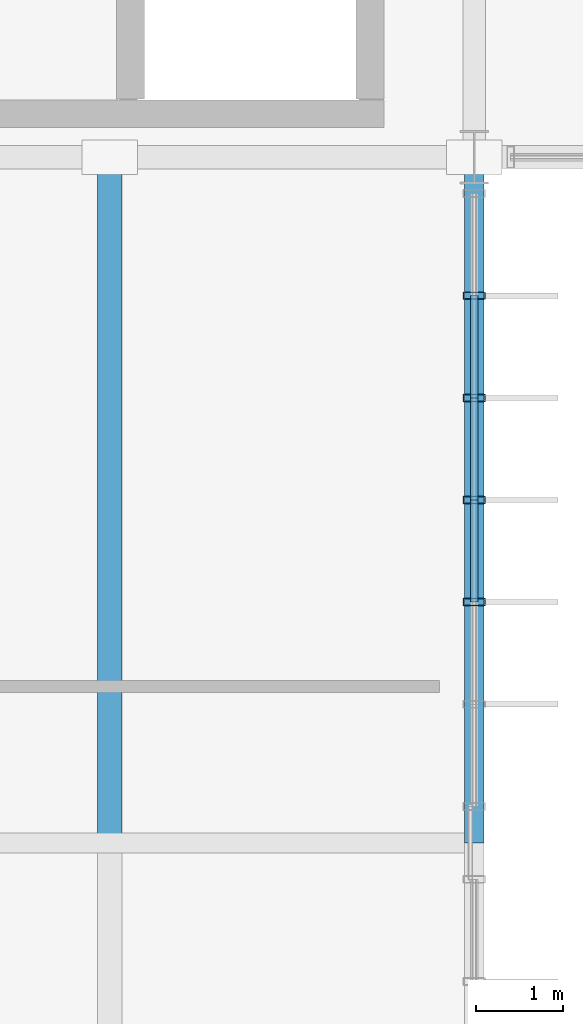
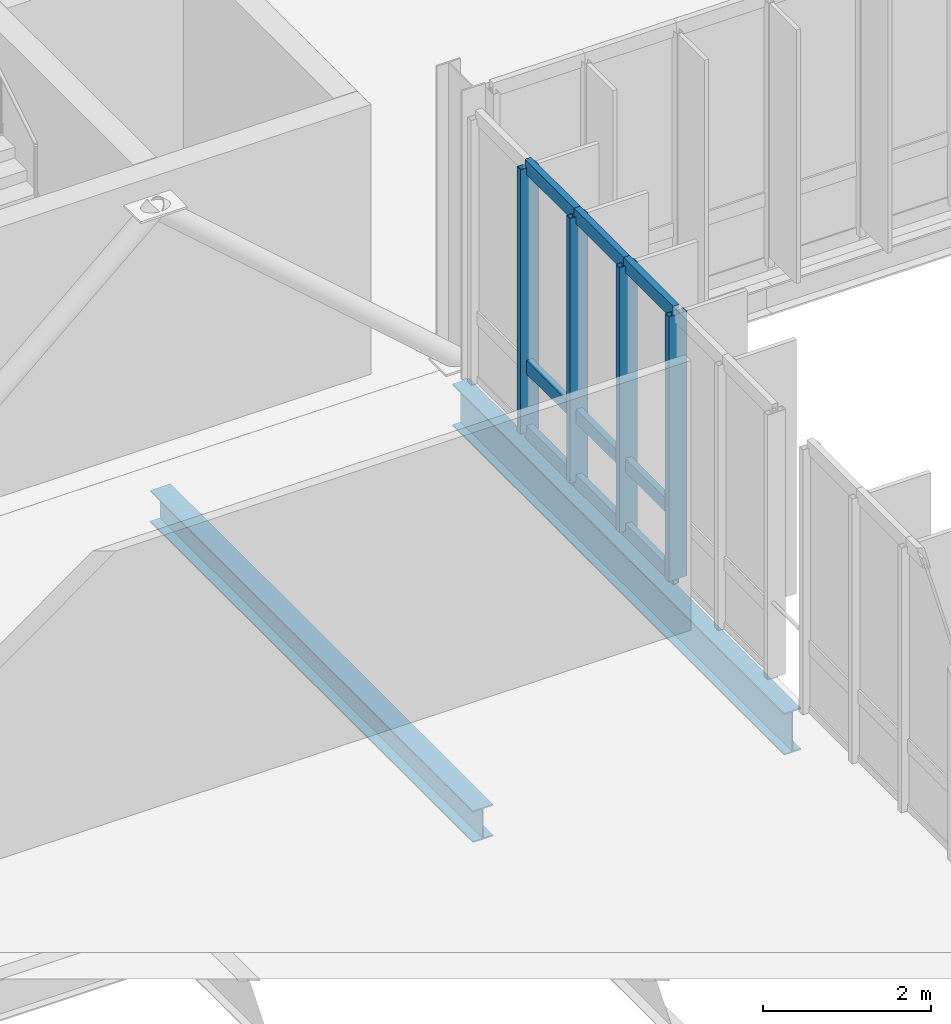
# One storey, part 29 of 107: 13 members, 2 beams, 1 element without a shape of its own.
"""IFC4 building model written with IfcOpenShell, lengths in metres."""

from ifc_helpers import new_model, si_unit, derived_unit, direction, frame, origin, origin_2d, place, context, subcontext, project, spatial, hollow_rectangle, i_section, extrude, material, layer, layer_set, material_profile, profile_set, type_object, element, aggregate, save


model = new_model("IFC4")

# Units and contexts
model_context = context("Model", 3, precision=1e-05, world=origin(), true_north=direction((0.0, 1.0)))
body_context = subcontext(model_context, "Body", "Model", "MODEL_VIEW")
ifc_project = project(units=[si_unit("LENGTHUNIT", "METRE"), si_unit("AREAUNIT", "SQUARE_METRE"), si_unit("VOLUMEUNIT", "CUBIC_METRE"), si_unit("PLANEANGLEUNIT", "RADIAN"), si_unit("MASSUNIT", "GRAM", prefix="KILO"), derived_unit("THERMALTRANSMITTANCEUNIT", [(si_unit("MASSUNIT", "GRAM", prefix="KILO"), 1), (si_unit("TIMEUNIT", "SECOND"), -3), (si_unit("THERMODYNAMICTEMPERATUREUNIT", "KELVIN"), -1)])], contexts=[model_context])

# Site, building, storey
site_placement = place(None, origin())
site = spatial("IfcSite", under=ifc_project, at=site_placement, CompositionType="ELEMENT")
building_placement = place(site_placement, origin())
building = spatial("IfcBuilding", under=site, at=building_placement, Name="Makaiwela Harbour Ferry Terminal", CompositionType="ELEMENT")
storey_placement = place(building_placement, frame((0.0, 0.0, 9.60009765625)))
storey = spatial("IfcBuildingStorey", under=building, at=storey_placement, Name="L02", CompositionType="ELEMENT", Elevation=9.60009765625)

# Curtain wall, members
ifc_material_1 = material(Name="Marine anodised aluminium 6063-T6", Category="aluminium")
ifc_layer = layer(ifc_material_1, 0.199951171875)
ifc_layer_set = layer_set([ifc_layer], Name="Marine anodised aluminium 6063-T6")
curtain_wall_type = type_object("IfcCurtainWallType", Name="ENV-CW-14", PredefinedType="USERDEFINED", material=ifc_layer_set)
curtain_wall_placement = place(storey_placement, origin())
curtain_wall = element("IfcCurtainWall", 1, at=curtain_wall_placement, inside=storey, type_object=curtain_wall_type, Name="Unitised Curtain Wall CWA-113", ObjectType="UNITIZED CURTAIN WALL", PredefinedType="USERDEFINED")
ifc_material_profile_1 = material_profile(ifc_material_1, hollow_rectangle(XDim=0.0849609375, YDim=0.25, WallThickness=0.0048828125, at=origin_2d()), Name="CWM-250X85")
ifc_profile_set_1 = profile_set([ifc_material_profile_1], Name="Marine anodised aluminium 6063-T6")
member_type_1 = type_object("IfcMemberType", Name="CW-MUL-250", PredefinedType="MULLION", material=ifc_profile_set_1)
member_1_placement = place(storey_placement, frame((71.39990234375, 47.80322265625, 0.0), z_axis=(0.0, 0.0, 1.0), x_axis=(0.0, 1.0, 0.0)))
member_1 = element("IfcMember", 2, at=member_1_placement, type_object=member_type_1, Name="Curtain Wall Mullion CWA-113-2", PredefinedType="MULLION", context=body_context, shape_type="SweptSolid", body=[
    extrude(hollow_rectangle(XDim=0.0849609375, YDim=0.25, WallThickness=0.0048828125, at=origin_2d()), origin(), (0.0, 0.0, 1.0), 3.849853515625),
])
member_2_placement = place(storey_placement, frame((71.39990234375, 46.626708984375, 0.0), z_axis=(0.0, 0.0, 1.0), x_axis=(0.0, 1.0, 0.0)))
member_2 = element("IfcMember", 3, at=member_2_placement, type_object=member_type_1, Name="Curtain Wall Mullion CWA-113-3", PredefinedType="MULLION", context=body_context, shape_type="SweptSolid", body=[
    extrude(hollow_rectangle(XDim=0.0849609375, YDim=0.25, WallThickness=0.0048828125, at=origin_2d()), origin(), (0.0, 0.0, 1.0), 3.849853515625),
])
member_3_placement = place(storey_placement, frame((71.39990234375, 45.449951171875, 0.0), z_axis=(0.0, 0.0, 1.0), x_axis=(0.0, 1.0, 0.0)))
member_3 = element("IfcMember", 4, at=member_3_placement, type_object=member_type_1, Name="Curtain Wall Mullion CWA-113-4", PredefinedType="MULLION", context=body_context, shape_type="SweptSolid", body=[
    extrude(hollow_rectangle(XDim=0.0849609375, YDim=0.25, WallThickness=0.0048828125, at=origin_2d()), origin(), (0.0, 0.0, 1.0), 3.849853515625),
])
member_4_placement = place(storey_placement, frame((71.39990234375, 44.273193359375, 0.0), z_axis=(0.0, 0.0, 1.0), x_axis=(0.0, 1.0, 0.0)))
member_4 = element("IfcMember", 5, at=member_4_placement, type_object=member_type_1, Name="Curtain Wall Mullion CWA-113-5", PredefinedType="MULLION", context=body_context, shape_type="SweptSolid", body=[
    extrude(hollow_rectangle(XDim=0.0849609375, YDim=0.25, WallThickness=0.0048828125, at=origin_2d()), origin(), (0.0, 0.0, 1.0), 3.849853515625),
])
ifc_material_profile_2 = material_profile(ifc_material_1, hollow_rectangle(XDim=0.0849609375, YDim=0.199951171875, WallThickness=0.0048828125, at=origin_2d()), Name="CWT-200X85")
ifc_profile_set_2 = profile_set([ifc_material_profile_2], Name="Marine anodised aluminium 6063-T6")
member_type_2 = type_object("IfcMemberType", Name="CW-TRN-200", PredefinedType="USERDEFINED", material=ifc_profile_set_2)
member_5_placement = place(storey_placement, frame((71.39990234375, 47.80322265625, 0.0), z_axis=(0.0, -1.0, 0.0), x_axis=(1.0, 0.0, 0.0)))
member_5 = element("IfcMember", 6, at=member_5_placement, type_object=member_type_2, Name="Curtain Wall Transom CWA-113-2-1", ObjectType="TRANSOM", PredefinedType="USERDEFINED", context=body_context, shape_type="SweptSolid", body=[
    extrude(hollow_rectangle(XDim=0.0849609375, YDim=0.199951171875, WallThickness=0.0048828125, at=origin_2d()), origin(), (0.0, 0.0, 1.0), 1.176513671875),
])
member_6_placement = place(storey_placement, frame((71.39990234375, 47.80322265625, 0.949951171875), z_axis=(0.0, -1.0, 0.0), x_axis=(1.0, 0.0, 0.0)))
member_6 = element("IfcMember", 7, at=member_6_placement, type_object=member_type_2, Name="Curtain Wall Transom CWA-113-2-2", ObjectType="TRANSOM", PredefinedType="USERDEFINED", context=body_context, shape_type="SweptSolid", body=[
    extrude(hollow_rectangle(XDim=0.0849609375, YDim=0.199951171875, WallThickness=0.0048828125, at=origin_2d()), origin(), (0.0, 0.0, 1.0), 1.176513671875),
])
member_7_placement = place(storey_placement, frame((71.39990234375, 47.80322265625, 3.849853515625), z_axis=(0.0, -1.0, 0.0), x_axis=(1.0, 0.0, 0.0)))
member_7 = element("IfcMember", 8, at=member_7_placement, type_object=member_type_2, Name="Curtain Wall Transom CWA-113-2-3", ObjectType="TRANSOM", PredefinedType="USERDEFINED", context=body_context, shape_type="SweptSolid", body=[
    extrude(hollow_rectangle(XDim=0.0849609375, YDim=0.199951171875, WallThickness=0.0048828125, at=origin_2d()), origin(), (0.0, 0.0, 1.0), 1.176513671875),
])
member_8_placement = place(storey_placement, frame((71.39990234375, 46.626708984375, 0.0), z_axis=(0.0, -1.0, 0.0), x_axis=(1.0, 0.0, 0.0)))
member_8 = element("IfcMember", 9, at=member_8_placement, type_object=member_type_2, Name="Curtain Wall Transom CWA-113-3-1", ObjectType="TRANSOM", PredefinedType="USERDEFINED", context=body_context, shape_type="SweptSolid", body=[
    extrude(hollow_rectangle(XDim=0.0849609375, YDim=0.199951171875, WallThickness=0.0048828125, at=origin_2d()), origin(), (0.0, 0.0, 1.0), 1.1767578125),
])
member_9_placement = place(storey_placement, frame((71.39990234375, 46.626708984375, 0.949951171875), z_axis=(0.0, -1.0, 0.0), x_axis=(1.0, 0.0, 0.0)))
member_9 = element("IfcMember", 10, at=member_9_placement, type_object=member_type_2, Name="Curtain Wall Transom CWA-113-3-2", ObjectType="TRANSOM", PredefinedType="USERDEFINED", context=body_context, shape_type="SweptSolid", body=[
    extrude(hollow_rectangle(XDim=0.0849609375, YDim=0.199951171875, WallThickness=0.0048828125, at=origin_2d()), origin(), (0.0, 0.0, 1.0), 1.1767578125),
])
member_10_placement = place(storey_placement, frame((71.39990234375, 46.626708984375, 3.849853515625), z_axis=(0.0, -1.0, 0.0), x_axis=(1.0, 0.0, 0.0)))
member_10 = element("IfcMember", 11, at=member_10_placement, type_object=member_type_2, Name="Curtain Wall Transom CWA-113-3-3", ObjectType="TRANSOM", PredefinedType="USERDEFINED", context=body_context, shape_type="SweptSolid", body=[
    extrude(hollow_rectangle(XDim=0.0849609375, YDim=0.199951171875, WallThickness=0.0048828125, at=origin_2d()), origin(), (0.0, 0.0, 1.0), 1.1767578125),
])
member_11_placement = place(storey_placement, frame((71.39990234375, 45.449951171875, 0.0), z_axis=(0.0, -1.0, 0.0), x_axis=(1.0, 0.0, 0.0)))
member_11 = element("IfcMember", 12, at=member_11_placement, type_object=member_type_2, Name="Curtain Wall Transom CWA-113-4-1", ObjectType="TRANSOM", PredefinedType="USERDEFINED", context=body_context, shape_type="SweptSolid", body=[
    extrude(hollow_rectangle(XDim=0.0849609375, YDim=0.199951171875, WallThickness=0.0048828125, at=origin_2d()), origin(), (0.0, 0.0, 1.0), 1.1767578125),
])
member_12_placement = place(storey_placement, frame((71.39990234375, 45.449951171875, 0.949951171875), z_axis=(0.0, -1.0, 0.0), x_axis=(1.0, 0.0, 0.0)))
member_12 = element("IfcMember", 13, at=member_12_placement, type_object=member_type_2, Name="Curtain Wall Transom CWA-113-4-2", ObjectType="TRANSOM", PredefinedType="USERDEFINED", context=body_context, shape_type="SweptSolid", body=[
    extrude(hollow_rectangle(XDim=0.0849609375, YDim=0.199951171875, WallThickness=0.0048828125, at=origin_2d()), origin(), (0.0, 0.0, 1.0), 1.1767578125),
])
member_13_placement = place(storey_placement, frame((71.39990234375, 45.449951171875, 3.849853515625), z_axis=(0.0, -1.0, 0.0), x_axis=(1.0, 0.0, 0.0)))
member_13 = element("IfcMember", 14, at=member_13_placement, type_object=member_type_2, Name="Curtain Wall Transom CWA-113-4-3", ObjectType="TRANSOM", PredefinedType="USERDEFINED", context=body_context, shape_type="SweptSolid", body=[
    extrude(hollow_rectangle(XDim=0.0849609375, YDim=0.199951171875, WallThickness=0.0048828125, at=origin_2d()), origin(), (0.0, 0.0, 1.0), 1.1767578125),
])
aggregate(curtain_wall, [member_1, member_2, member_3, member_4, member_5, member_6, member_7, member_8, member_9, member_10, member_11, member_12, member_13])

# Beams
ifc_material_2 = material(Name="Steel ASTM A992 Grade 50", Category="steel")
ifc_material_profile_3 = material_profile(ifc_material_2, i_section(OverallWidth=0.280029296875, OverallDepth=0.462890625, WebThickness=0.0107421875, FlangeThickness=0.017333984375, at=origin_2d()), Name="W18X76")
ifc_profile_set_3 = profile_set([ifc_material_profile_3], Name="Steel ASTM A992 Grade 50")
beam_type_1 = type_object("IfcBeamType", Name="STR-BM-W18X76", PredefinedType="BEAM", material=ifc_profile_set_3)
beam_1_placement = place(storey_placement, frame((67.199951171875, 41.596435546875, -0.49169921875), z_axis=(0.0, 1.0, 0.0), x_axis=(-1.0, 0.0, 0.0)))
element("IfcBeam", 15, at=beam_1_placement, inside=storey, type_object=beam_type_1, Name="Secondary floor beam 1469", PredefinedType="BEAM", context=body_context, shape_type="SweptSolid", body=[
    extrude(i_section(OverallWidth=0.280029296875, OverallDepth=0.462890625, WebThickness=0.0107421875, FlangeThickness=0.017333984375, at=origin_2d()), origin(), (0.0, 0.0, 1.0), 7.68896484375),
])
ifc_material_profile_4 = material_profile(ifc_material_2, i_section(OverallWidth=0.22900390625, OverallDepth=0.612060546875, WebThickness=0.011962890625, FlangeThickness=0.01953125, at=origin_2d()), Name="W24X84")
ifc_profile_set_4 = profile_set([ifc_material_profile_4], Name="Steel ASTM A992 Grade 50")
beam_type_2 = type_object("IfcBeamType", Name="STR-GRD-W24X84", PredefinedType="USERDEFINED", material=ifc_profile_set_4)
beam_2_placement = place(storey_placement, frame((71.39990234375, 41.5, -0.566162109375), z_axis=(0.0, 1.0, 0.0), x_axis=(-1.0, 0.0, 0.0)))
element("IfcBeam", 16, at=beam_2_placement, inside=storey, type_object=beam_type_2, Name="Primary Y girder 1369", ObjectType="GIRDER", PredefinedType="USERDEFINED", context=body_context, shape_type="SweptSolid", body=[
    extrude(i_section(OverallWidth=0.22900390625, OverallDepth=0.612060546875, WebThickness=0.011962890625, FlangeThickness=0.01953125, at=origin_2d()), origin(), (0.0, 0.0, 1.0), 7.89990234375),
])

save(model, "model.ifc")
